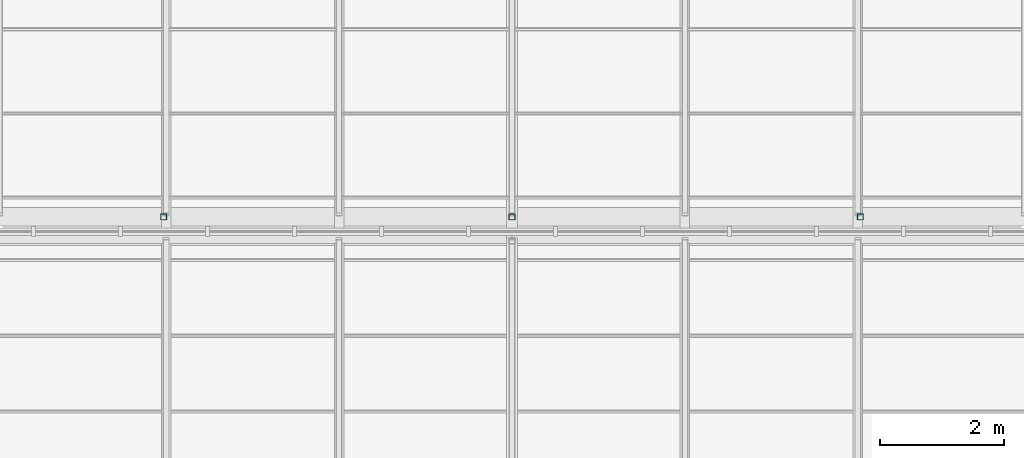
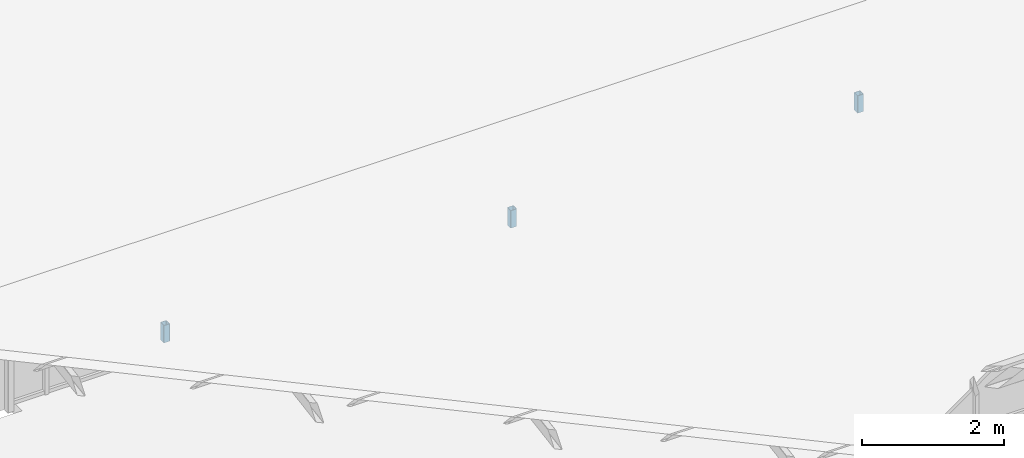
# One storey, part 24 of 42: 3 members.
"""IFC4 building model written with IfcOpenShell, lengths in metres."""

import ifcopenshell
import ifcopenshell.guid

model = None  # the IFC model being written
_history = None  # IfcOwnerHistory: only IFC2X3 demands one
_inside = {}  # id of a spatial element -> (the spatial element, [elements in it])
_under = {}  # id of a project, library or spatial element -> (it, [spatial elements below it])
_declared = {}  # id of a project -> (the project, [libraries it declares])
_typed = {}  # id of a type object -> (the type object, [elements of that type])
_made_of = {}  # id of a material, layer set ... -> (it, [elements and type objects made of it])


def new_model(schema):
    """Start an empty IFC model of exactly this schema.

    Asked for "IFC4X3", IfcOpenShell would pick the latest addendum, in which some entities
    have other attributes; the version numbers below select the first issue.
    IFC2X3 requires an IfcOwnerHistory on every rooted entity: one is made here for all.
    """
    global model, _history
    if schema == "IFC4X3":
        model = ifcopenshell.file(schema_version=(4, 3, 0, 0))
    else:
        model = ifcopenshell.file(schema=schema)
    _inside.clear()
    _under.clear()
    _declared.clear()
    _typed.clear()
    _made_of.clear()
    _history = None
    if model.schema == "IFC2X3":
        org = make("IfcOrganization", Name="unknown")
        user = make(
            "IfcPersonAndOrganization",
            ThePerson=make("IfcPerson", FamilyName="unknown"),
            TheOrganization=org,
        )
        app = make(
            "IfcApplication",
            ApplicationDeveloper=org,
            Version="unknown",
            ApplicationFullName="unknown",
            ApplicationIdentifier="unknown",
        )
        _history = make(
            "IfcOwnerHistory",
            OwningUser=user,
            OwningApplication=app,
            ChangeAction="ADDED",
            CreationDate=0,
        )
    return model


def make(cls, **values):
    """One entity of the class cls with the attributes given. An attribute that is None is left unset."""
    return model.create_entity(
        cls, **{name: value for name, value in values.items() if value is not None}
    )


def rooted(cls, **values):
    """An entity with a GlobalId (a new one), such as an element, a storey or a relation."""
    return make(cls, GlobalId=ifcopenshell.guid.new(), OwnerHistory=_history, **values)


def si_unit(unit_type, name, prefix=None):
    """IfcSIUnit, for example si_unit("LENGTHUNIT", "METRE", prefix="MILLI")."""
    return make("IfcSIUnit", UnitType=unit_type, Prefix=prefix, Name=name)


def assignment(units):
    """IfcUnitAssignment: the units of a project."""
    return None if units is None else make("IfcUnitAssignment", Units=units)


def point(xyz):
    """IfcCartesianPoint."""
    return None if xyz is None else make("IfcCartesianPoint", Coordinates=xyz)


def direction(xyz):
    """IfcDirection."""
    return None if xyz is None else make("IfcDirection", DirectionRatios=xyz)


def frame(location, z_axis=None, x_axis=None):
    """IfcAxis2Placement3D, a coordinate frame: its origin and axes. An axis left out is left unset."""
    return make(
        "IfcAxis2Placement3D",
        Location=point(location),
        Axis=direction(z_axis),
        RefDirection=direction(x_axis),
    )


def frame_2d(location, x_axis=None):
    """IfcAxis2Placement2D, a coordinate frame in the plane: its origin and x axis."""
    return make(
        "IfcAxis2Placement2D", Location=point(location), RefDirection=direction(x_axis)
    )


def origin():
    """The frame at (0, 0, 0) with its axes left unset."""
    return frame((0.0, 0.0, 0.0))


def origin_2d():
    """The frame at (0, 0) in the plane with its x axis left unset."""
    return frame_2d((0.0, 0.0))


def place(relative_to, where):
    """IfcLocalPlacement: puts the frame where relative to a parent placement (None: the world)."""
    return make(
        "IfcLocalPlacement", PlacementRelTo=relative_to, RelativePlacement=where
    )


def context(
    kind, dimensions, precision=None, world=None, true_north=None, identifier=None
):
    """IfcGeometricRepresentationContext, for example the 3D "Model" context."""
    return make(
        "IfcGeometricRepresentationContext",
        ContextIdentifier=identifier,
        ContextType=kind,
        CoordinateSpaceDimension=dimensions,
        Precision=precision,
        WorldCoordinateSystem=world,
        TrueNorth=true_north,
    )


def subcontext(parent, identifier, kind, view, scale=None):
    """IfcGeometricRepresentationSubContext, for example "Body" below "Model"."""
    return make(
        "IfcGeometricRepresentationSubContext",
        ContextIdentifier=identifier,
        ContextType=kind,
        ParentContext=parent,
        TargetScale=scale,
        TargetView=view,
    )


def project(units=None, contexts=None):
    """IfcProject with its units and contexts."""
    return rooted(
        "IfcProject",
        Name="project",
        RepresentationContexts=contexts,
        UnitsInContext=assignment(units),
    )


def spatial(cls, under=None, at=None, **own):
    """A site, building, storey or space (cls), placed at a placement, below another one or the project."""
    s = rooted(cls, ObjectPlacement=at, **own)
    if under is not None:
        _under.setdefault(under.id(), (under, []))[1].append(s)
    return s


def profile(cls, at=None, kind="AREA", **sizes):
    """A parametric profile (cls). Its sizes go by their IFC names, for example OverallWidth=200.0."""
    return make(cls, ProfileType=kind, Position=at, **sizes)


def hollow_rectangle(**sizes):
    """IfcRectangleHollowProfileDef."""
    return profile("IfcRectangleHollowProfileDef", **sizes)


def extrude(swept, where, along, depth):
    """IfcExtrudedAreaSolid: the profile swept, set in the frame where, extruded along a direction by depth."""
    return make(
        "IfcExtrudedAreaSolid",
        SweptArea=swept,
        Position=where,
        ExtrudedDirection=direction(along),
        Depth=depth,
    )


def shape(context_of_items, identifier, shape_type, items):
    """IfcShapeRepresentation: the items that make up one representation, for example the "Body"."""
    return make(
        "IfcShapeRepresentation",
        ContextOfItems=context_of_items,
        RepresentationIdentifier=identifier,
        RepresentationType=shape_type,
        Items=items,
    )


def material(Name=None, Category=None):
    """IfcMaterial."""
    return make("IfcMaterial", Name=Name, Category=Category)


def material_profile(
    of_material, cross_section, Name=None, Category=None, Priority=None
):
    """IfcMaterialProfile: a cross section and its material."""
    return make(
        "IfcMaterialProfile",
        Name=Name,
        Material=of_material,
        Profile=cross_section,
        Priority=Priority,
        Category=Category,
    )


def profile_set(profiles, Name=None, composite=None):
    """IfcMaterialProfileSet."""
    return make(
        "IfcMaterialProfileSet",
        Name=Name,
        MaterialProfiles=profiles,
        CompositeProfile=composite,
    )


def made_of(thing, what):
    """Note that an element or type object is made of a material, layer set ...; save() writes the relation."""
    if what is not None:
        _made_of.setdefault(what.id(), (what, []))[1].append(thing)
    return thing


def type_object(cls, material=None, **own):
    """A type object (cls), such as IfcWallType, which elements share."""
    return made_of(rooted(cls, **own), material)


def element(
    cls,
    number,
    at=None,
    inside=None,
    cuts=None,
    type_object=None,
    material=None,
    context=None,
    identifier="Body",
    shape_type=None,
    held_by="IfcProductDefinitionShape",
    body=None,
    shapes=None,
    **own,
):
    """One element of the class cls, such as IfcWall. Its Tag is "e" and its number.

    at: its placement. inside: the storey or other place that contains it. cuts: it is an
    opening in that element (IfcRelVoidsElement). A single representation is given by context,
    identifier, shape_type and body (its items); several are given by shapes. held_by: the class
    of the entity that holds the representations. save() writes the other relations.
    """
    e = rooted(cls, Tag="e%d" % number, ObjectPlacement=at, **own)
    if body is not None:
        shapes = [shape(context, identifier, shape_type, body)]
    if shapes is not None:
        e.Representation = make(held_by, Representations=shapes)
    if inside is not None:
        _inside.setdefault(inside.id(), (inside, []))[1].append(e)
    if cuts is not None:
        rooted(
            "IfcRelVoidsElement", RelatingBuildingElement=cuts, RelatedOpeningElement=e
        )
    if type_object is not None:
        _typed.setdefault(type_object.id(), (type_object, []))[1].append(e)
    return made_of(e, material)


def aggregate(whole, parts):
    """IfcRelAggregates: a whole, such as a stair, and the parts it consists of."""
    return rooted("IfcRelAggregates", RelatingObject=whole, RelatedObjects=parts)


def save(model, path):
    """Write the relations noted so far, then the file.

    IfcRelAggregates (storeys below a building ...), IfcRelContainedInSpatialStructure (elements
    in a storey), IfcRelDefinesByType, IfcRelAssociatesMaterial and IfcRelDeclares: one each for
    every whole, place, type object, material and project.
    """
    for whole, parts in _under.values():
        aggregate(whole, parts)
    for where, things in _inside.values():
        rooted(
            "IfcRelContainedInSpatialStructure",
            RelatedElements=things,
            RelatingStructure=where,
        )
    for kind, things in _typed.values():
        rooted("IfcRelDefinesByType", RelatedObjects=things, RelatingType=kind)
    for what, things in _made_of.values():
        rooted("IfcRelAssociatesMaterial", RelatedObjects=things, RelatingMaterial=what)
    for by, libraries in _declared.values():
        rooted("IfcRelDeclares", RelatingContext=by, RelatedDefinitions=libraries)
    model.write(path)


model = new_model("IFC4")

# Units and contexts
model_context = context("Model", 3, precision=1e-05, world=origin(), true_north=direction((0.0, 1.0)))
body_context = subcontext(model_context, "Body", "Model", "MODEL_VIEW")
ifc_project = project(units=[si_unit("LENGTHUNIT", "METRE"), si_unit("AREAUNIT", "SQUARE_METRE"), si_unit("VOLUMEUNIT", "CUBIC_METRE"), si_unit("PLANEANGLEUNIT", "RADIAN"), si_unit("MASSUNIT", "GRAM", prefix="KILO")], contexts=[model_context])

# Site, building, storey
site_placement = place(None, origin())
site = spatial("IfcSite", under=ifc_project, at=site_placement, CompositionType="ELEMENT")
building_placement = place(site_placement, origin())
building = spatial("IfcBuilding", under=site, at=building_placement, Name="Ardhachandra Cancer Care Centre", CompositionType="ELEMENT")
storey_placement = place(building_placement, frame((0.0, 0.0, 22.5)))
storey = spatial("IfcBuildingStorey", under=building, at=storey_placement, Name="L05", CompositionType="ELEMENT", Elevation=22.5)

# Members
ifc_material = material(Name="Steel E350 (IS 2062)", Category="steel")
ifc_material_profile = material_profile(ifc_material, hollow_rectangle(XDim=0.10009765625, YDim=0.10009765625, WallThickness=0.0048828125, InnerFilletRadius=0.0048828125, OuterFilletRadius=0.010009765625, at=origin_2d()), Name="SHS 100x100x5.0")
ifc_profile_set = profile_set([ifc_material_profile], Name="Steel E350 (IS 2062)")
member_type = type_object("IfcMemberType", Name="Sawtooth ridge post SHS 100x100x5.0", PredefinedType="POST", material=ifc_profile_set)
for number, where, z_axis, x_axis, name in (
    (1, (21.9599609375, 88.5400390625, 0.0), (0.0, 0.0, 1.0), (1.0, 0.0, 0.0), "Gutter cradle NT3a.1"),
    (2, (27.60009765625, 88.5400390625, 0.0), (0.0, 0.0, 1.0), (1.0, 0.0, 0.0), "Gutter cradle NT3a.2"),
    (3, (33.239990234375, 88.5400390625, 0.0), (0.0, 0.0, 1.0), (1.0, 0.0, 0.0), "Gutter cradle NT3a.3"),
):
    element("IfcMember", number, at=place(storey_placement, frame(where, z_axis=z_axis, x_axis=x_axis)), inside=storey, type_object=member_type, Name=name, PredefinedType="POST", context=body_context, shape_type="SweptSolid", body=[
        extrude(hollow_rectangle(XDim=0.10009765625, YDim=0.10009765625, WallThickness=0.0048828125, InnerFilletRadius=0.0048828125, OuterFilletRadius=0.010009765625, at=origin_2d()), origin(), (0.0, 0.0, 1.0), 0.300048828125),
    ])

save(model, "model.ifc")
